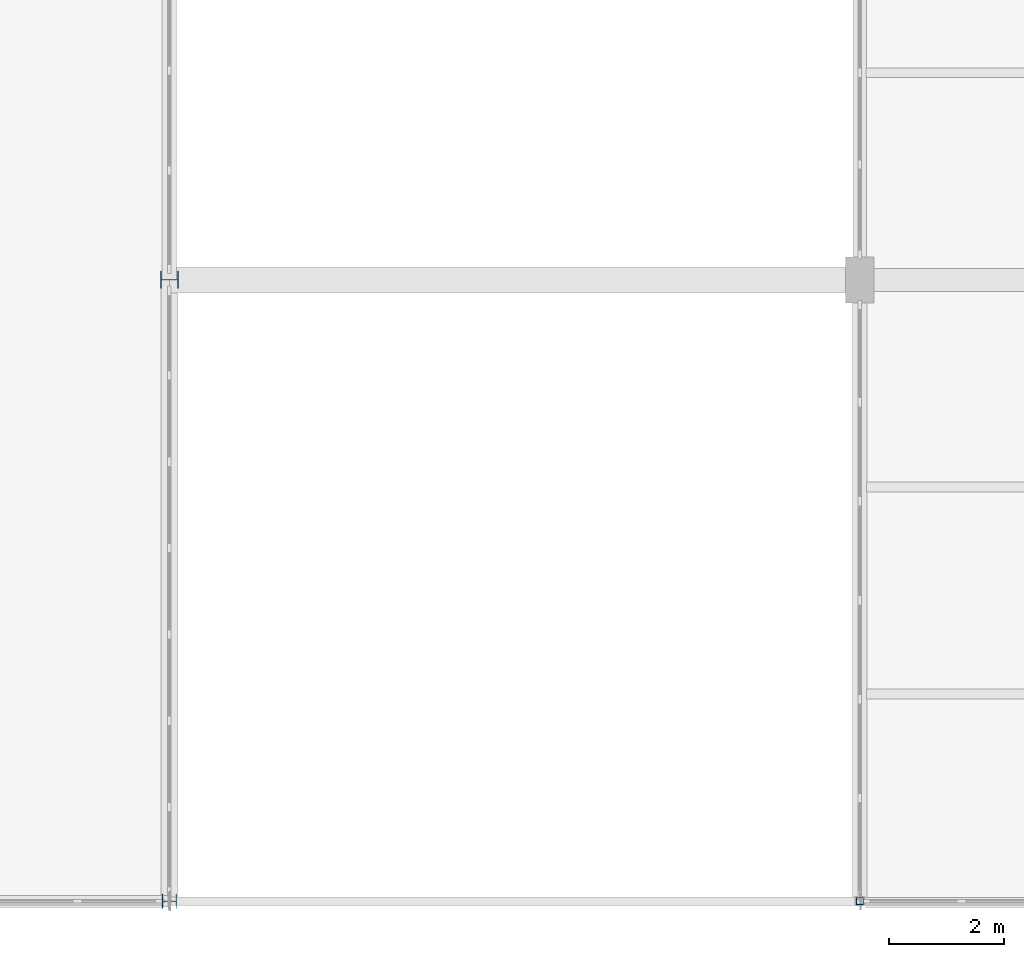
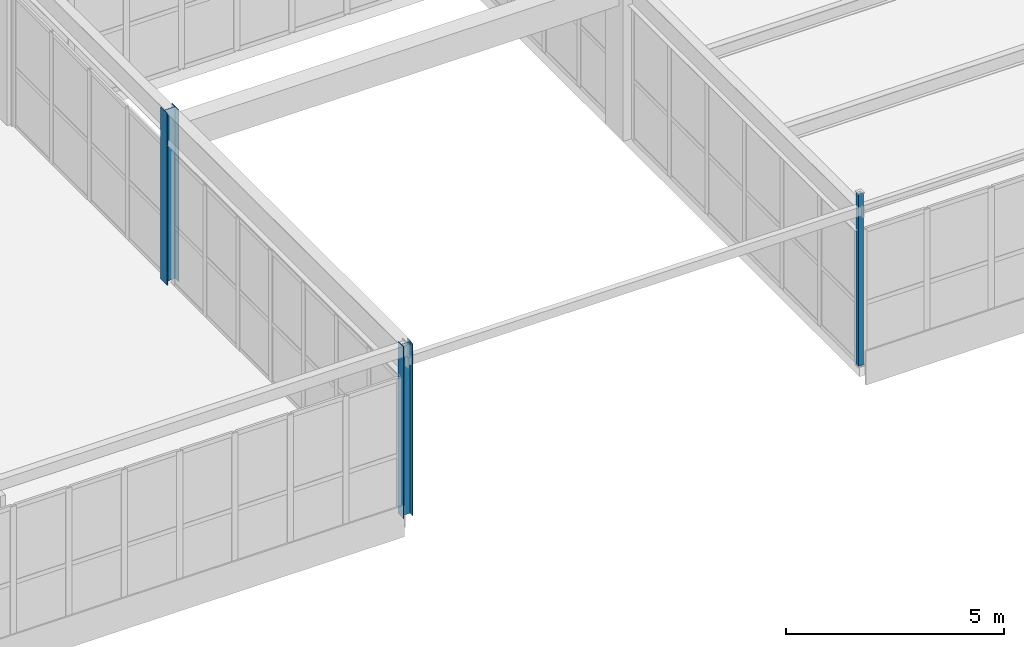
# One storey, part 33 of 186: 3 columns.
"""IFC4 building model written with IfcOpenShell, lengths in metres."""

from ifc_helpers import new_model, si_unit, direction, frame, origin, origin_2d, place, context, subcontext, project, spatial, hollow_rectangle, i_section, extrude, material, material_profile, profile_set, type_object, element, save


model = new_model("IFC4")

# Units and contexts
model_context = context("Model", 3, precision=1e-05, world=origin(), true_north=direction((0.0, 1.0)))
body_context = subcontext(model_context, "Body", "Model", "MODEL_VIEW")
ifc_project = project(units=[si_unit("LENGTHUNIT", "METRE"), si_unit("AREAUNIT", "SQUARE_METRE"), si_unit("VOLUMEUNIT", "CUBIC_METRE"), si_unit("PLANEANGLEUNIT", "RADIAN"), si_unit("MASSUNIT", "GRAM", prefix="KILO")], contexts=[model_context])

# Site, building, storey
site_placement = place(None, origin())
site = spatial("IfcSite", under=ifc_project, at=site_placement, CompositionType="ELEMENT")
building_placement = place(site_placement, origin())
building = spatial("IfcBuilding", under=site, at=building_placement, Name="Tarnwether General Hospital", CompositionType="ELEMENT")
storey_placement = place(building_placement, frame((0.0, 0.0, 9.60009765625)))
storey = spatial("IfcBuildingStorey", under=building, at=storey_placement, Name="L02", CompositionType="ELEMENT", Elevation=9.60009765625)

# Columns
ifc_material_1 = material(Name="Steel Grade 350 (350 MPa)", Category="steel")
ifc_material_profile_1 = material_profile(ifc_material_1, i_section(OverallWidth=0.304931640625, OverallDepth=0.30810546875, WebThickness=0.010009765625, FlangeThickness=0.015380859375, at=origin_2d()), Name="310UC96.8")
ifc_profile_set_1 = profile_set([ifc_material_profile_1], Name="Steel Grade 350 (350 MPa)")
column_type_1 = type_object("IfcColumnType", Name="COL-08", PredefinedType="COLUMN", material=ifc_profile_set_1)
column_1_placement = place(storey_placement, frame((132.0, 10.800048828125, 0.0), z_axis=(0.0, 0.0, 1.0), x_axis=(0.0, 1.0, 0.0)))
element("IfcColumn", 1, at=column_1_placement, inside=storey, type_object=column_type_1, Name="Column COLG-L02-13200_1080", PredefinedType="COLUMN", context=body_context, shape_type="SweptSolid", body=[
    extrude(i_section(OverallWidth=0.304931640625, OverallDepth=0.30810546875, WebThickness=0.010009765625, FlangeThickness=0.015380859375, at=origin_2d()), origin(), (0.0, 0.0, 1.0), 4.7998046875),
])
ifc_material_2 = material(Name="Steel Grade 350 (350 MPa)", Category="steel")
ifc_material_profile_2 = material_profile(ifc_material_2, i_section(OverallWidth=0.25390625, OverallDepth=0.25390625, WebThickness=0.008544921875, FlangeThickness=0.01416015625, at=origin_2d()), Name="250UC72.9")
ifc_profile_set_2 = profile_set([ifc_material_profile_2], Name="Steel Grade 350 (350 MPa)")
column_type_2 = type_object("IfcColumnType", Name="COL-24", PredefinedType="COLUMN", material=ifc_profile_set_2)
column_2_placement = place(storey_placement, frame((132.0, 0.0, 0.0), z_axis=(0.0, 0.0, 1.0), x_axis=(0.0, 1.0, 0.0)))
element("IfcColumn", 2, at=column_2_placement, inside=storey, type_object=column_type_2, Name="Column COLG-L02-13200_0", PredefinedType="COLUMN", context=body_context, shape_type="SweptSolid", body=[
    extrude(i_section(OverallWidth=0.25390625, OverallDepth=0.25390625, WebThickness=0.008544921875, FlangeThickness=0.01416015625, at=origin_2d()), origin(), (0.0, 0.0, 1.0), 4.7998046875),
])
ifc_material_3 = material(Name="Steel Grade C350L0 (350 MPa)", Category="steel")
ifc_material_profile_3 = material_profile(ifc_material_3, hollow_rectangle(XDim=0.125, YDim=0.125, WallThickness=0.006103515625, at=origin_2d()), Name="SHS125x125x6")
ifc_profile_set_3 = profile_set([ifc_material_profile_3], Name="Steel Grade C350L0 (350 MPa)")
column_type_3 = type_object("IfcColumnType", Name="COL-34", PredefinedType="COLUMN", material=ifc_profile_set_3)
column_3_placement = place(storey_placement, frame((144.0, 0.0, 0.0), z_axis=(0.0, 0.0, 1.0), x_axis=(1.0, 0.0, 0.0)))
element("IfcColumn", 3, at=column_3_placement, inside=storey, type_object=column_type_3, Name="Column COLG-L02-14400_0", PredefinedType="COLUMN", context=body_context, shape_type="SweptSolid", body=[
    extrude(hollow_rectangle(XDim=0.125, YDim=0.125, WallThickness=0.006103515625, at=origin_2d()), origin(), (0.0, 0.0, 1.0), 4.7998046875),
])

save(model, "model.ifc")
